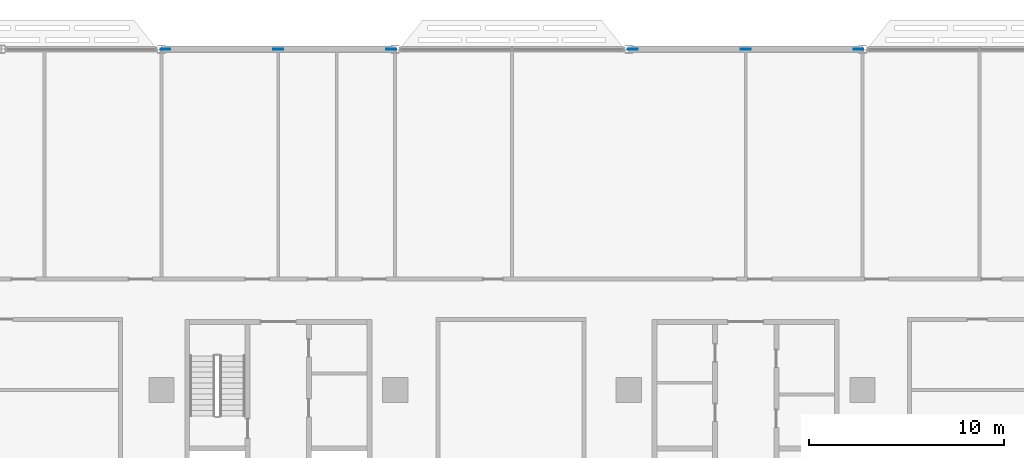
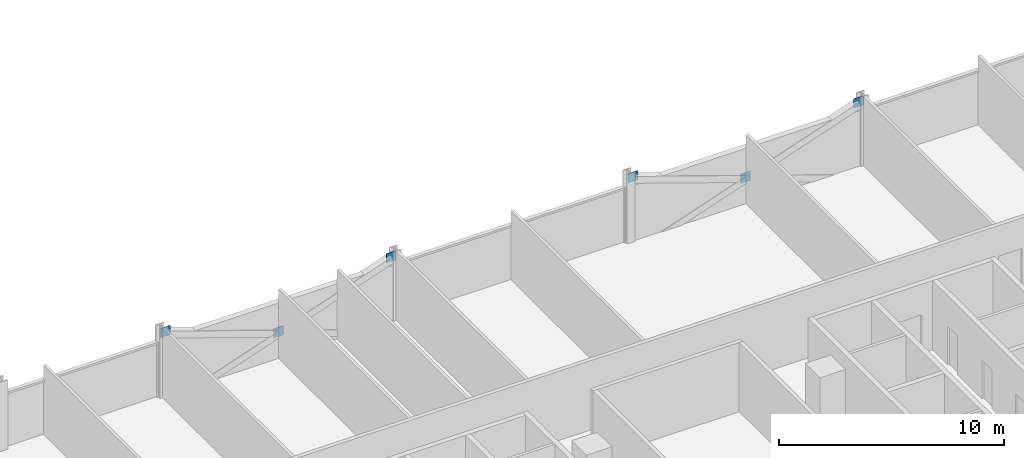
# One storey, part 21 of 28: 6 discrete accessories.
"""IFC4 building model written with IfcOpenShell, lengths in metres."""

from ifc_helpers import new_model, si_unit, direction, frame, origin, origin_2d, place, context, subcontext, project, spatial, rectangle, extrude, material, layer, layer_set, type_object, element, save


model = new_model("IFC4")

# Units and contexts
model_context = context("Model", 3, precision=1e-05, world=origin(), true_north=direction((0.0, 1.0)))
body_context = subcontext(model_context, "Body", "Model", "MODEL_VIEW")
ifc_project = project(units=[si_unit("LENGTHUNIT", "METRE"), si_unit("AREAUNIT", "SQUARE_METRE"), si_unit("VOLUMEUNIT", "CUBIC_METRE"), si_unit("PLANEANGLEUNIT", "RADIAN"), si_unit("MASSUNIT", "GRAM", prefix="KILO")], contexts=[model_context])

# Site, building, storey
site_placement = place(None, origin())
site = spatial("IfcSite", under=ifc_project, at=site_placement, CompositionType="ELEMENT")
building_placement = place(site_placement, origin())
building = spatial("IfcBuilding", under=site, at=building_placement, Name="Mahtab Terrace Research Tower", CompositionType="ELEMENT")
storey_placement = place(building_placement, frame((0.0, 0.0, 134.300048828125)))
storey = spatial("IfcBuildingStorey", under=building, at=storey_placement, Name="L31", CompositionType="ELEMENT", Elevation=134.300048828125)

# Discrete accessories
ifc_material = material(Name="Steel ASTM A992 Gr 50", Category="steel")
ifc_layer = layer(ifc_material, 0.030029296875)
ifc_layer_set = layer_set([ifc_layer], Name="Gusset plate 500x500x30")
discrete_accessory_type = type_object("IfcDiscreteAccessoryType", Name="Gusset plate 500x500x30", PredefinedType="USERDEFINED", material=ifc_layer_set)
for number, where, z_axis, x_axis, name in (
    (1, (-29.794189453125, 29.0, 3.131591796875), (0.0, 0.0, 1.0), (1.0, 0.0, 0.0), "Gusset plate"),
    (2, (-24.0, 29.0, 1.08154296875), (0.0, 0.0, 1.0), (1.0, 0.0, 0.0), "Gusset plate"),
    (3, (-18.205810546875, 29.0, 3.131591796875), (0.0, 0.0, 1.0), (1.0, 0.0, 0.0), "Gusset plate"),
    (4, (-5.794189453125, 29.0, 3.131591796875), (0.0, 0.0, 1.0), (1.0, 0.0, 0.0), "Gusset plate"),
    (5, (0.0, 29.0, 1.08154296875), (0.0, 0.0, 1.0), (1.0, 0.0, 0.0), "Gusset plate"),
    (6, (5.794189453125, 29.0, 3.131591796875), (0.0, 0.0, 1.0), (1.0, 0.0, 0.0), "Gusset plate"),
):
    element("IfcDiscreteAccessory", number, at=place(storey_placement, frame(where, z_axis=z_axis, x_axis=x_axis)), inside=storey, type_object=discrete_accessory_type, Name=name, ObjectType="GUSSET PLATE", PredefinedType="USERDEFINED", context=body_context, shape_type="SweptSolid", body=[
        extrude(rectangle(XDim=0.5, YDim=0.030029296875, at=origin_2d()), origin(), (0.0, 0.0, 1.0), 0.5),
    ])

save(model, "model.ifc")
